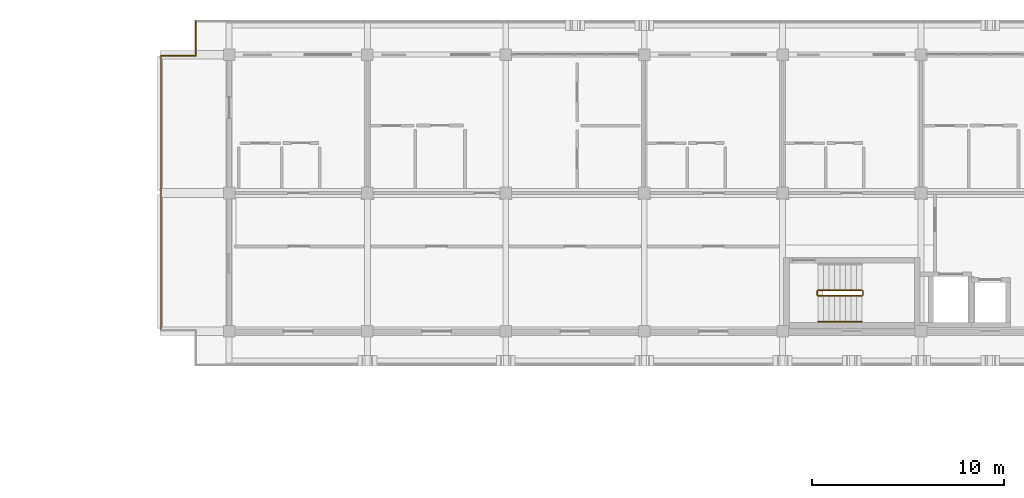
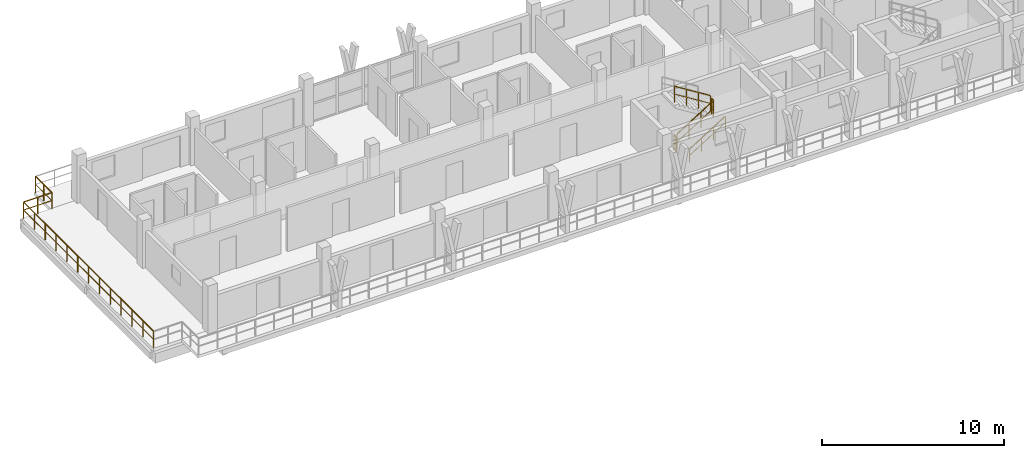
# One storey, part 55 of 65: 8 railings.
"""IFC4 building model written with IfcOpenShell, lengths in metres."""

from ifc_helpers import new_model, si_unit, direction, frame, origin, origin_2d, place, context, subcontext, project, spatial, rectangle, extrude, material, type_object, element, save


model = new_model("IFC4")

# Units and contexts
model_context = context("Model", 3, precision=1e-05, world=origin(), true_north=direction((0.0, 1.0)))
body_context = subcontext(model_context, "Body", "Model", "MODEL_VIEW")
ifc_project = project(units=[si_unit("LENGTHUNIT", "METRE"), si_unit("AREAUNIT", "SQUARE_METRE"), si_unit("VOLUMEUNIT", "CUBIC_METRE"), si_unit("PLANEANGLEUNIT", "RADIAN"), si_unit("MASSUNIT", "GRAM", prefix="KILO")], contexts=[model_context])

# Site, building, storey
site_placement = place(None, origin())
site = spatial("IfcSite", under=ifc_project, at=site_placement, CompositionType="ELEMENT")
building_placement = place(site_placement, origin())
building = spatial("IfcBuilding", under=site, at=building_placement, Name="Suanplinth Sawtooth Commons", CompositionType="ELEMENT")
storey_placement = place(building_placement, frame((0.0, 0.0, 28.300048828125)))
storey = spatial("IfcBuildingStorey", under=building, at=storey_placement, Name="L08", CompositionType="ELEMENT", Elevation=28.300048828125)

# Railings
ifc_material_1 = material(Name="Powder-coated galvanized steel", Category="steel")
railing_type_1 = type_object("IfcRailingType", Name="GR-01", PredefinedType="BALUSTRADE", material=ifc_material_1)
railing_1_placement = place(storey_placement, frame((10.860107421875, 108.06005859375, 0.0)))
element("IfcRailing", 1, at=railing_1_placement, inside=storey, type_object=railing_type_1, Name="L08 Block A Perimeter Balustrade 2", PredefinedType="BALUSTRADE", context=body_context, shape_type="SweptSolid", body=[
    extrude(rectangle(XDim=0.048095703125, YDim=0.048095703125, at=origin_2d()), frame((0.0, 0.0, 1.09619140625), z_axis=(0.0, 1.0, 0.0), x_axis=(-1.0, 0.0, 0.0)), (0.0, 0.0, 1.0), 14.280029296875),
    extrude(rectangle(XDim=0.03369140625, YDim=0.03369140625, at=origin_2d()), frame((0.0, 0.0, 0.56005859375), z_axis=(0.0, 1.0, 0.0), x_axis=(-1.0, 0.0, 0.0)), (0.0, 0.0, 1.0), 14.280029296875),
    extrude(rectangle(XDim=0.0419921875, YDim=0.0419921875, at=origin_2d()), origin(), (0.0, 0.0, 1.0), 1.072021484375),
    extrude(rectangle(XDim=0.0419921875, YDim=0.0419921875, at=origin_2d()), frame((0.0, 1.18994140625, 0.0)), (0.0, 0.0, 1.0), 1.072021484375),
    extrude(rectangle(XDim=0.0419921875, YDim=0.0419921875, at=origin_2d()), frame((0.0, 2.3798828125, 0.0)), (0.0, 0.0, 1.0), 1.072021484375),
    extrude(rectangle(XDim=0.0419921875, YDim=0.0419921875, at=origin_2d()), frame((0.0, 3.570068359375, 0.0)), (0.0, 0.0, 1.0), 1.072021484375),
    extrude(rectangle(XDim=0.0419921875, YDim=0.0419921875, at=origin_2d()), frame((0.0, 4.760009765625, 0.0)), (0.0, 0.0, 1.0), 1.072021484375),
    extrude(rectangle(XDim=0.0419921875, YDim=0.0419921875, at=origin_2d()), frame((0.0, 5.949951171875, 0.0)), (0.0, 0.0, 1.0), 1.072021484375),
    extrude(rectangle(XDim=0.0419921875, YDim=0.0419921875, at=origin_2d()), frame((0.0, 7.14013671875, 0.0)), (0.0, 0.0, 1.0), 1.072021484375),
    extrude(rectangle(XDim=0.0419921875, YDim=0.0419921875, at=origin_2d()), frame((0.0, 8.330078125, 0.0)), (0.0, 0.0, 1.0), 1.072021484375),
    extrude(rectangle(XDim=0.0419921875, YDim=0.0419921875, at=origin_2d()), frame((0.0, 9.52001953125, 0.0)), (0.0, 0.0, 1.0), 1.072021484375),
    extrude(rectangle(XDim=0.0419921875, YDim=0.0419921875, at=origin_2d()), frame((0.0, 10.7099609375, 0.0)), (0.0, 0.0, 1.0), 1.072021484375),
    extrude(rectangle(XDim=0.0419921875, YDim=0.0419921875, at=origin_2d()), frame((0.0, 11.89990234375, 0.0)), (0.0, 0.0, 1.0), 1.072021484375),
    extrude(rectangle(XDim=0.0419921875, YDim=0.0419921875, at=origin_2d()), frame((0.0, 13.090087890625, 0.0)), (0.0, 0.0, 1.0), 1.072021484375),
    extrude(rectangle(XDim=0.0419921875, YDim=0.0419921875, at=origin_2d()), frame((0.0, 14.280029296875, 0.0)), (0.0, 0.0, 1.0), 1.072021484375),
])
railing_2_placement = place(storey_placement, frame((10.860107421875, 122.340087890625, 0.0)))
element("IfcRailing", 2, at=railing_2_placement, inside=storey, type_object=railing_type_1, Name="L08 Block A Perimeter Balustrade 3", PredefinedType="BALUSTRADE", context=body_context, shape_type="SweptSolid", body=[
    extrude(rectangle(XDim=0.048095703125, YDim=0.048095703125, at=origin_2d()), frame((0.0, 0.0, 1.09619140625), z_axis=(1.0, 0.0, 0.0), x_axis=(0.0, 1.0, 0.0)), (0.0, 0.0, 1.0), 1.7998046875),
    extrude(rectangle(XDim=0.03369140625, YDim=0.03369140625, at=origin_2d()), frame((0.0, 0.0, 0.56005859375), z_axis=(1.0, 0.0, 0.0), x_axis=(0.0, 1.0, 0.0)), (0.0, 0.0, 1.0), 1.7998046875),
    extrude(rectangle(XDim=0.0419921875, YDim=0.0419921875, at=origin_2d()), origin(), (0.0, 0.0, 1.0), 1.072021484375),
    extrude(rectangle(XDim=0.0419921875, YDim=0.0419921875, at=origin_2d()), frame((0.89990234375, 0.0, 0.0)), (0.0, 0.0, 1.0), 1.072021484375),
    extrude(rectangle(XDim=0.0419921875, YDim=0.0419921875, at=origin_2d()), frame((1.7998046875, 0.0, 0.0)), (0.0, 0.0, 1.0), 1.072021484375),
])
railing_3_placement = place(storey_placement, frame((12.659912109375, 122.340087890625, 0.0)))
element("IfcRailing", 3, at=railing_3_placement, inside=storey, type_object=railing_type_1, Name="L08 Block A Perimeter Balustrade 4", PredefinedType="BALUSTRADE", context=body_context, shape_type="SweptSolid", body=[
    extrude(rectangle(XDim=0.048095703125, YDim=0.048095703125, at=origin_2d()), frame((0.0, 0.0, 1.09619140625), z_axis=(0.0, 1.0, 0.0), x_axis=(-1.0, 0.0, 0.0)), (0.0, 0.0, 1.0), 1.7998046875),
    extrude(rectangle(XDim=0.03369140625, YDim=0.03369140625, at=origin_2d()), frame((0.0, 0.0, 0.56005859375), z_axis=(0.0, 1.0, 0.0), x_axis=(-1.0, 0.0, 0.0)), (0.0, 0.0, 1.0), 1.7998046875),
    extrude(rectangle(XDim=0.0419921875, YDim=0.0419921875, at=origin_2d()), origin(), (0.0, 0.0, 1.0), 1.072021484375),
    extrude(rectangle(XDim=0.0419921875, YDim=0.0419921875, at=origin_2d()), frame((0.0, 0.89990234375, 0.0)), (0.0, 0.0, 1.0), 1.072021484375),
    extrude(rectangle(XDim=0.0419921875, YDim=0.0419921875, at=origin_2d()), frame((0.0, 1.7998046875, 0.0)), (0.0, 0.0, 1.0), 1.072021484375),
])
ifc_material_2 = material(Name="Stainless steel Grade 304", Category="steel")
railing_type_2 = type_object("IfcRailingType", Name="GR-04", PredefinedType="GUARDRAIL", material=ifc_material_2)
railing_4_placement = place(storey_placement, frame((45.050048828125, 109.85009765625, 0.177734375)))
element("IfcRailing", 4, at=railing_4_placement, inside=storey, type_object=railing_type_2, Name="L08 ST-N1 Guard 1", PredefinedType="GUARDRAIL", context=body_context, shape_type="SweptSolid", body=[
    extrude(rectangle(XDim=0.048095703125, YDim=0.048095703125, at=origin_2d()), frame((0.0, 0.0, 1.076171875), z_axis=(0.848482842525, 0.0, 0.529222888715), x_axis=(0.0, 1.0, 0.0)), (0.0, 0.0, 1.0), 2.687255859375),
    extrude(rectangle(XDim=0.03369140625, YDim=0.03369140625, at=origin_2d()), frame((0.0, 0.0, 0.550048828125), z_axis=(0.848482842525, 0.0, 0.529222888715), x_axis=(0.0, 1.0, 0.0)), (0.0, 0.0, 1.0), 2.687255859375),
    extrude(rectangle(XDim=0.0419921875, YDim=0.0419921875, at=origin_2d()), origin(), (0.0, 0.0, 1.0), 1.052001953125),
    extrude(rectangle(XDim=0.0419921875, YDim=0.0419921875, at=origin_2d()), frame((0.760009765625, 0.0, 0.47412109375)), (0.0, 0.0, 1.0), 1.052001953125),
    extrude(rectangle(XDim=0.0419921875, YDim=0.0419921875, at=origin_2d()), frame((1.52001953125, 0.0, 0.947998046875)), (0.0, 0.0, 1.0), 1.052001953125),
    extrude(rectangle(XDim=0.0419921875, YDim=0.0419921875, at=origin_2d()), frame((2.280029296875, 0.0, 1.422119140625)), (0.0, 0.0, 1.0), 1.052001953125),
])
railing_5_placement = place(storey_placement, frame((47.3798828125, 109.89990234375, 1.599853515625)))
element("IfcRailing", 5, at=railing_5_placement, inside=storey, type_object=railing_type_2, Name="L08 ST-N1 Guard 2", PredefinedType="GUARDRAIL", context=body_context, shape_type="SweptSolid", body=[
    extrude(rectangle(XDim=0.048095703125, YDim=0.048095703125, at=origin_2d()), frame((0.0, 0.0, 1.076171875), z_axis=(0.0, 1.0, 0.0), x_axis=(-1.0, 0.0, 0.0)), (0.0, 0.0, 1.0), 0.2001953125),
    extrude(rectangle(XDim=0.03369140625, YDim=0.03369140625, at=origin_2d()), frame((0.0, 0.0, 0.550048828125), z_axis=(0.0, 1.0, 0.0), x_axis=(-1.0, 0.0, 0.0)), (0.0, 0.0, 1.0), 0.2001953125),
    extrude(rectangle(XDim=0.0419921875, YDim=0.0419921875, at=origin_2d()), origin(), (0.0, 0.0, 1.0), 1.052001953125),
    extrude(rectangle(XDim=0.0419921875, YDim=0.0419921875, at=origin_2d()), frame((0.0, 0.2001953125, 0.0)), (0.0, 0.0, 1.0), 1.052001953125),
])
railing_6_placement = place(storey_placement, frame((47.330078125, 110.14990234375, 1.77783203125)))
element("IfcRailing", 6, at=railing_6_placement, inside=storey, type_object=railing_type_2, Name="L08 ST-N1 Guard 3", PredefinedType="GUARDRAIL", context=body_context, shape_type="SweptSolid", body=[
    extrude(rectangle(XDim=0.048095703125, YDim=0.048095703125, at=origin_2d()), frame((0.0, 0.0, 1.076171875), z_axis=(-0.848482842525, 0.0, 0.529222888715), x_axis=(0.0, -1.0, 0.0)), (0.0, 0.0, 1.0), 2.687255859375),
    extrude(rectangle(XDim=0.03369140625, YDim=0.03369140625, at=origin_2d()), frame((0.0, 0.0, 0.550048828125), z_axis=(-0.848482842525, 0.0, 0.529222888715), x_axis=(0.0, -1.0, 0.0)), (0.0, 0.0, 1.0), 2.687255859375),
    extrude(rectangle(XDim=0.0419921875, YDim=0.0419921875, at=origin_2d()), origin(), (0.0, 0.0, 1.0), 1.052001953125),
    extrude(rectangle(XDim=0.0419921875, YDim=0.0419921875, at=origin_2d()), frame((-0.760009765625, 0.0, 0.47412109375)), (0.0, 0.0, 1.0), 1.052001953125),
    extrude(rectangle(XDim=0.0419921875, YDim=0.0419921875, at=origin_2d()), frame((-1.52001953125, 0.0, 0.947998046875)), (0.0, 0.0, 1.0), 1.052001953125),
    extrude(rectangle(XDim=0.0419921875, YDim=0.0419921875, at=origin_2d()), frame((-2.280029296875, 0.0, 1.422119140625)), (0.0, 0.0, 1.0), 1.052001953125),
])
railing_7_placement = place(storey_placement, frame((45.0, 109.89990234375, 0.0)))
element("IfcRailing", 7, at=railing_7_placement, inside=storey, type_object=railing_type_2, Name="L08 ST-N1 Guard 4", PredefinedType="GUARDRAIL", context=body_context, shape_type="SweptSolid", body=[
    extrude(rectangle(XDim=0.048095703125, YDim=0.048095703125, at=origin_2d()), frame((0.0, 0.0, 1.076171875), z_axis=(0.0, 1.0, 0.0), x_axis=(-1.0, 0.0, 0.0)), (0.0, 0.0, 1.0), 0.2001953125),
    extrude(rectangle(XDim=0.03369140625, YDim=0.03369140625, at=origin_2d()), frame((0.0, 0.0, 0.550048828125), z_axis=(0.0, 1.0, 0.0), x_axis=(-1.0, 0.0, 0.0)), (0.0, 0.0, 1.0), 0.2001953125),
    extrude(rectangle(XDim=0.0419921875, YDim=0.0419921875, at=origin_2d()), origin(), (0.0, 0.0, 1.0), 1.052001953125),
    extrude(rectangle(XDim=0.0419921875, YDim=0.0419921875, at=origin_2d()), frame((0.0, 0.2001953125, 0.0)), (0.0, 0.0, 1.0), 1.052001953125),
])
railing_type_3 = type_object("IfcRailingType", Name="HR-01", PredefinedType="HANDRAIL", material=ifc_material_2)
railing_8_placement = place(storey_placement, frame((45.050048828125, 108.5, 0.177734375)))
element("IfcRailing", 8, at=railing_8_placement, inside=storey, type_object=railing_type_3, Name="L08 ST-N1 Handrail 1", PredefinedType="HANDRAIL", context=body_context, shape_type="SweptSolid", body=[
    extrude(rectangle(XDim=0.048095703125, YDim=0.048095703125, at=origin_2d()), frame((0.0, 0.0, 0.8759765625), z_axis=(0.848482842525, 0.0, 0.529222888715), x_axis=(0.0, 1.0, 0.0)), (0.0, 0.0, 1.0), 2.687255859375),
    extrude(rectangle(XDim=0.03369140625, YDim=0.03369140625, at=origin_2d()), frame((0.0, 0.0, 0.449951171875), z_axis=(0.848482842525, 0.0, 0.529222888715), x_axis=(0.0, 1.0, 0.0)), (0.0, 0.0, 1.0), 2.687255859375),
    extrude(rectangle(XDim=0.0419921875, YDim=0.0419921875, at=origin_2d()), origin(), (0.0, 0.0, 1.0), 0.851806640625),
    extrude(rectangle(XDim=0.0419921875, YDim=0.0419921875, at=origin_2d()), frame((0.760009765625, 0.0, 0.47412109375)), (0.0, 0.0, 1.0), 0.851806640625),
    extrude(rectangle(XDim=0.0419921875, YDim=0.0419921875, at=origin_2d()), frame((1.52001953125, 0.0, 0.947998046875)), (0.0, 0.0, 1.0), 0.851806640625),
    extrude(rectangle(XDim=0.0419921875, YDim=0.0419921875, at=origin_2d()), frame((2.280029296875, 0.0, 1.422119140625)), (0.0, 0.0, 1.0), 0.851806640625),
])

save(model, "model.ifc")
